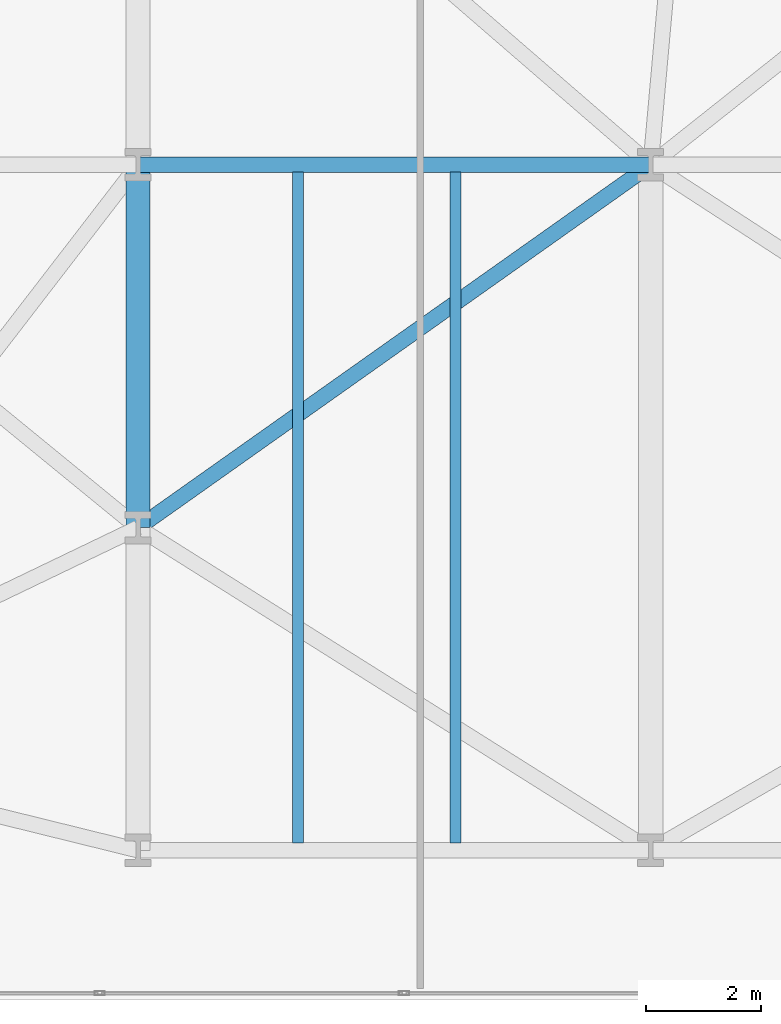
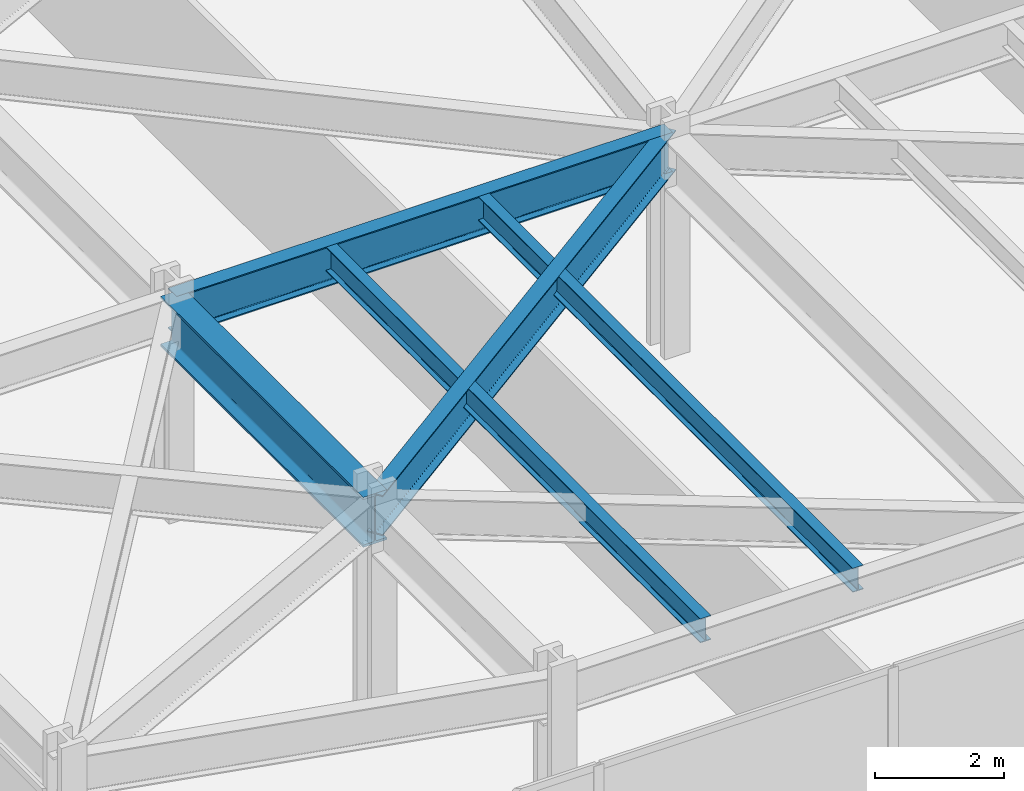
# One storey, part 5 of 30: 5 beams.
"""IFC4 building model written with IfcOpenShell, lengths in metres."""

from ifc_helpers import new_model, si_unit, direction, frame, origin, origin_2d, place, context, subcontext, project, spatial, i_section, extrude, material, material_profile, profile_set, type_object, element, save


model = new_model("IFC4")

# Units and contexts
model_context = context("Model", 3, precision=1e-05, world=origin(), true_north=direction((0.0, 1.0)))
body_context = subcontext(model_context, "Body", "Model", "MODEL_VIEW")
ifc_project = project(units=[si_unit("LENGTHUNIT", "METRE"), si_unit("AREAUNIT", "SQUARE_METRE"), si_unit("VOLUMEUNIT", "CUBIC_METRE"), si_unit("PLANEANGLEUNIT", "RADIAN"), si_unit("MASSUNIT", "GRAM", prefix="KILO")], contexts=[model_context])

# Site, building, storey
site_placement = place(None, origin())
site = spatial("IfcSite", under=ifc_project, at=site_placement, CompositionType="ELEMENT")
building_placement = place(site_placement, origin())
building = spatial("IfcBuilding", under=site, at=building_placement, Name="Kravanh Interchange Tower", CompositionType="ELEMENT")
storey_placement = place(building_placement, frame((0.0, 0.0, 19.800048828125)))
storey = spatial("IfcBuildingStorey", under=building, at=storey_placement, Name="L04", CompositionType="ELEMENT", Elevation=19.800048828125)

# Beams
ifc_material_1 = material(Name="Structural Steel S450", Category="steel")
ifc_material_profile_1 = material_profile(ifc_material_1, i_section(OverallWidth=0.423095703125, OverallDepth=0.947998046875, WebThickness=0.02392578125, FlangeThickness=0.042724609375, FilletRadius=0.028076171875, at=origin_2d()), Name="W36X302")
ifc_profile_set_1 = profile_set([ifc_material_profile_1], Name="Structural Steel S450")
beam_type_1 = type_object("IfcBeamType", Name="Floor Beam W36X302 Structural Steel S450", PredefinedType="BEAM", material=ifc_profile_set_1)
beam_1_placement = place(storey_placement, frame((8.60009765625, 8.199951171875, 3.676025390625), z_axis=(0.0, 1.0, 0.0), x_axis=(-1.0, 0.0, 0.0)))
element("IfcBeam", 1, at=beam_1_placement, inside=storey, type_object=beam_type_1, Name="L04 Primary Floor Girder 23", PredefinedType="BEAM", context=body_context, shape_type="SweptSolid", body=[
    extrude(i_section(OverallWidth=0.423095703125, OverallDepth=0.947998046875, WebThickness=0.02392578125, FlangeThickness=0.042724609375, FilletRadius=0.028076171875, at=origin_2d()), origin(), (0.0, 0.0, 1.0), 6.300048828125),
])
ifc_material_2 = material(Name="Structural Steel S355", Category="steel")
ifc_material_profile_2 = material_profile(ifc_material_2, i_section(OverallWidth=0.18994140625, OverallDepth=0.45703125, WebThickness=0.009033203125, FlangeThickness=0.014404296875, FilletRadius=0.01806640625, at=origin_2d()), Name="W18X50")
ifc_profile_set_2 = profile_set([ifc_material_profile_2], Name="Structural Steel S355")
beam_type_2 = type_object("IfcBeamType", Name="Floor Joist W18X50 Structural Steel S355", PredefinedType="JOIST", material=ifc_profile_set_2)
for number, where, z_axis, x_axis, name in (
    (2, (11.3779296875, 2.728515625, 3.92138671875), (0.0, 1.0, 0.0), (-1.0, 0.0, 0.0), "L04 Secondary Floor Joist 1"),
    (3, (14.114013671875, 2.728515625, 3.92138671875), (0.0, 1.0, 0.0), (-1.0, 0.0, 0.0), "L04 Secondary Floor Joist 2"),
):
    element("IfcBeam", number, at=place(storey_placement, frame(where, z_axis=z_axis, x_axis=x_axis)), inside=storey, type_object=beam_type_2, Name=name, PredefinedType="JOIST", context=body_context, shape_type="SweptSolid", body=[
        extrude(i_section(OverallWidth=0.18994140625, OverallDepth=0.45703125, WebThickness=0.009033203125, FlangeThickness=0.014404296875, FilletRadius=0.01806640625, at=origin_2d()), origin(), (0.0, 0.0, 1.0), 11.64306640625),
    ])
ifc_material_3 = material(Name="Structural Steel S355", Category="steel")
ifc_material_profile_3 = material_profile(ifc_material_3, i_section(OverallWidth=0.26708984375, OverallDepth=0.761962890625, WebThickness=0.014404296875, FlangeThickness=0.021484375, FilletRadius=0.02490234375, at=origin_2d()), Name="W30X116")
ifc_profile_set_3 = profile_set([ifc_material_profile_3], Name="Structural Steel S355")
beam_type_3 = type_object("IfcBeamType", Name="Floor Spandrel W30X116 Structural Steel S355", PredefinedType="SPANDREL", material=ifc_profile_set_3)
beam_2_placement = place(storey_placement, frame((8.60009765625, 8.199951171875, 3.76904296875), z_axis=(0.816199576272, 0.577770068187, 0.0), x_axis=(-0.577770068187, 0.816199576272, 0.0)))
element("IfcBeam", 4, at=beam_2_placement, inside=storey, type_object=beam_type_3, Name="L04 Perimeter Spandrel 26", PredefinedType="SPANDREL", context=body_context, shape_type="SweptSolid", body=[
    extrude(i_section(OverallWidth=0.26708984375, OverallDepth=0.761962890625, WebThickness=0.014404296875, FlangeThickness=0.021484375, FilletRadius=0.02490234375, at=origin_2d()), origin(), (0.0, 0.0, 1.0), 10.904052734375),
])
beam_3_placement = place(storey_placement, frame((8.60009765625, 14.5, 3.76904296875), z_axis=(1.0, 0.0, 0.0), x_axis=(0.0, 1.0, 0.0)))
element("IfcBeam", 5, at=beam_3_placement, inside=storey, type_object=beam_type_3, Name="L04 Perimeter Spandrel 39", PredefinedType="SPANDREL", context=body_context, shape_type="SweptSolid", body=[
    extrude(i_section(OverallWidth=0.26708984375, OverallDepth=0.761962890625, WebThickness=0.014404296875, FlangeThickness=0.021484375, FilletRadius=0.02490234375, at=origin_2d()), origin(), (0.0, 0.0, 1.0), 8.89990234375),
])

save(model, "model.ifc")
